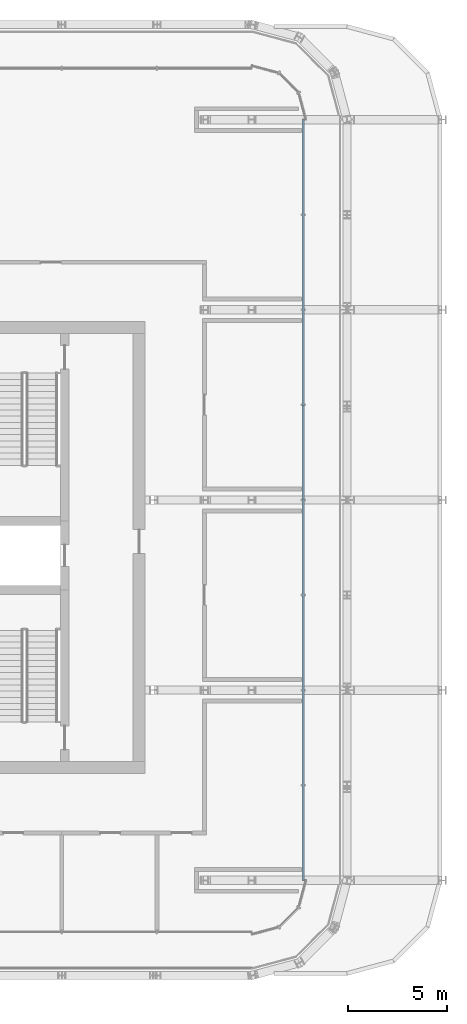
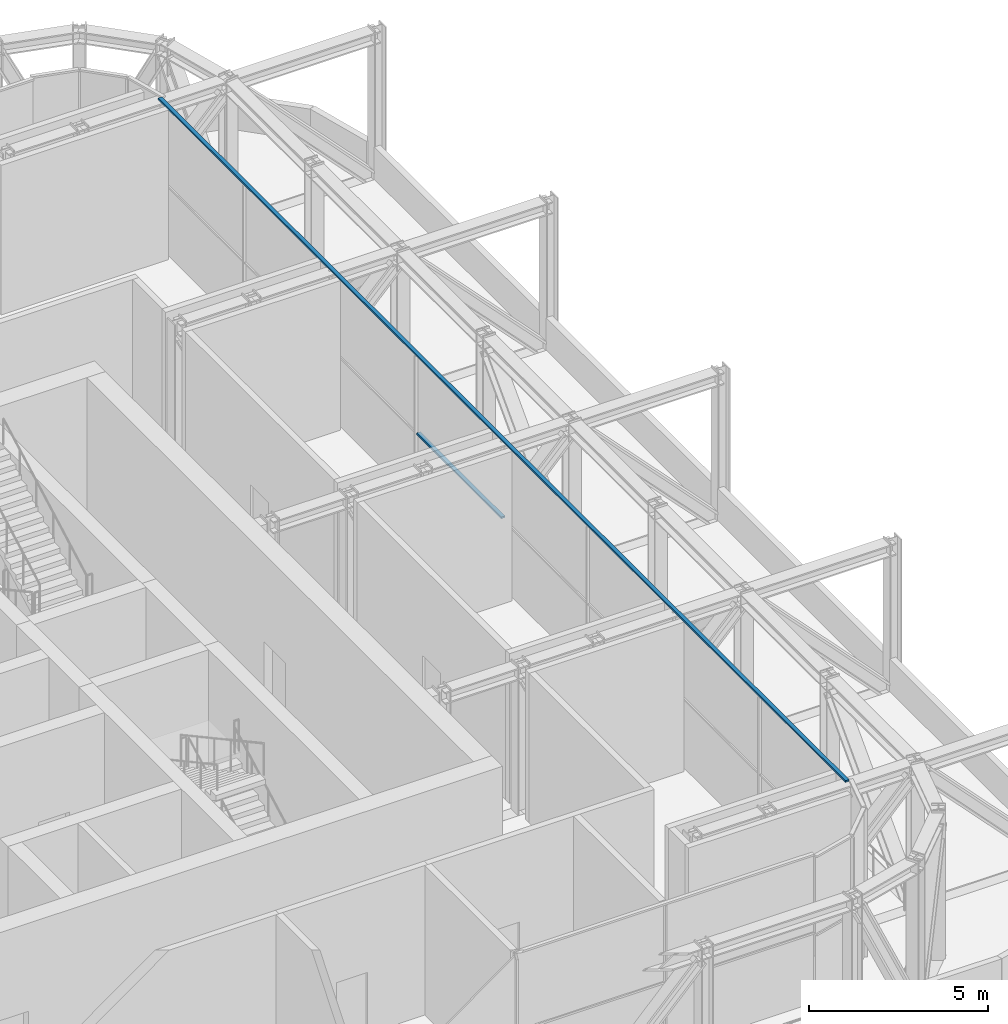
# One storey, part 9 of 26: 2 members, 1 element without a shape of its own.
"""IFC4 building model written with IfcOpenShell, lengths in metres."""

from ifc_helpers import new_model, si_unit, direction, frame, origin, origin_2d, place, context, subcontext, project, spatial, rectangle, extrude, material, layer, layer_set, material_profile, profile_set, type_object, element, aggregate, save


model = new_model("IFC4")

# Units and contexts
model_context = context("Model", 3, precision=1e-05, world=origin(), true_north=direction((0.0, 1.0)))
body_context = subcontext(model_context, "Body", "Model", "MODEL_VIEW")
ifc_project = project(units=[si_unit("LENGTHUNIT", "METRE"), si_unit("AREAUNIT", "SQUARE_METRE"), si_unit("VOLUMEUNIT", "CUBIC_METRE"), si_unit("PLANEANGLEUNIT", "RADIAN"), si_unit("MASSUNIT", "GRAM", prefix="KILO")], contexts=[model_context])

# Site, building, storey
site_placement = place(None, origin())
site = spatial("IfcSite", under=ifc_project, at=site_placement, CompositionType="ELEMENT")
building_placement = place(site_placement, origin())
building = spatial("IfcBuilding", under=site, at=building_placement, Name="Madar Terraces", CompositionType="ELEMENT")
storey_placement = place(building_placement, frame((0.0, 0.0, 233.300048828125)))
storey = spatial("IfcBuildingStorey", under=building, at=storey_placement, Name="L61", CompositionType="ELEMENT", Elevation=233.300048828125)

# Curtain wall, members
ifc_material_1 = material(Name="Glass, ceramic frit dark grey, with black aluminium frame", Category="aluminium")
ifc_layer = layer(ifc_material_1, 0.199951171875)
ifc_layer_set = layer_set([ifc_layer], Name="Facade curtain wall, tall glazing")
curtain_wall_type = type_object("IfcCurtainWallType", Name="Facade curtain wall, tall glazing", PredefinedType="NOTDEFINED", material=ifc_layer_set)
curtain_wall_placement = place(storey_placement, origin())
curtain_wall = element("IfcCurtainWall", 1, at=curtain_wall_placement, inside=storey, type_object=curtain_wall_type, Name="Outer skin curtain wall east bay 1", PredefinedType="NOTDEFINED")
ifc_material_2 = material(Name="Aluminium, black anodised", Category="aluminium")
ifc_material_profile = material_profile(ifc_material_2, rectangle(XDim=0.1201171875, YDim=0.06005859375, at=origin_2d()), Name="Facade transom 60x120")
ifc_profile_set = profile_set([ifc_material_profile], Name="Aluminium, black anodised")
member_type = type_object("IfcMemberType", Name="Facade transom 60x120", PredefinedType="USERDEFINED", material=ifc_profile_set)
member_1_placement = place(storey_placement, frame((55.39990234375, 9.60009765625, 5.070068359375), z_axis=(0.0, 1.0, 0.0), x_axis=(-1.0, 0.0, 0.0)))
member_1 = element("IfcMember", 2, at=member_1_placement, type_object=member_type, Name="Transom 1", ObjectType="TRANSOM", PredefinedType="USERDEFINED", context=body_context, shape_type="SweptSolid", body=[
    extrude(rectangle(XDim=0.1201171875, YDim=0.06005859375, at=origin_2d()), origin(), (0.0, 0.0, 1.0), 38.39990234375),
])
member_2_placement = place(storey_placement, frame((55.39990234375, 28.830078125, 2.39990234375), z_axis=(0.0, 1.0, 0.0), x_axis=(-1.0, 0.0, 0.0)))
member_2 = element("IfcMember", 3, at=member_2_placement, type_object=member_type, Name="Transom 6", ObjectType="TRANSOM", PredefinedType="USERDEFINED", context=body_context, shape_type="SweptSolid", body=[
    extrude(rectangle(XDim=0.1201171875, YDim=0.06005859375, at=origin_2d()), origin(), (0.0, 0.0, 1.0), 4.739990234375),
])
aggregate(curtain_wall, [member_1, member_2])

save(model, "model.ifc")
